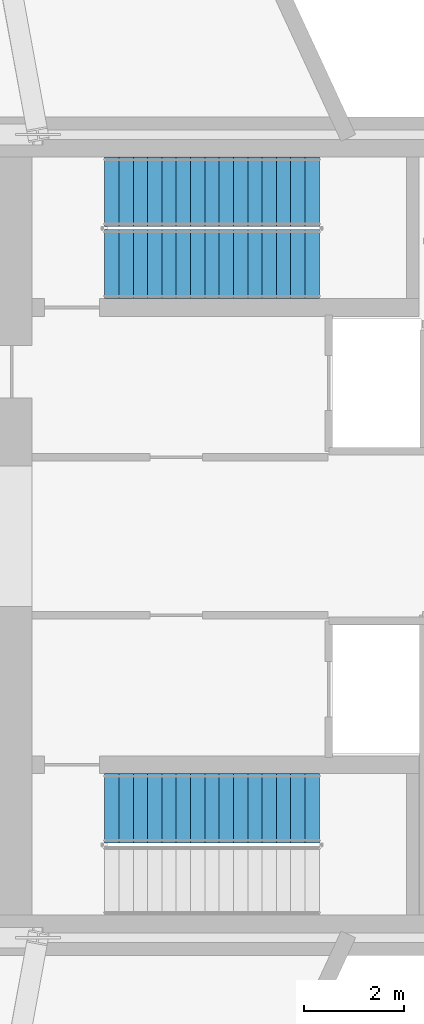
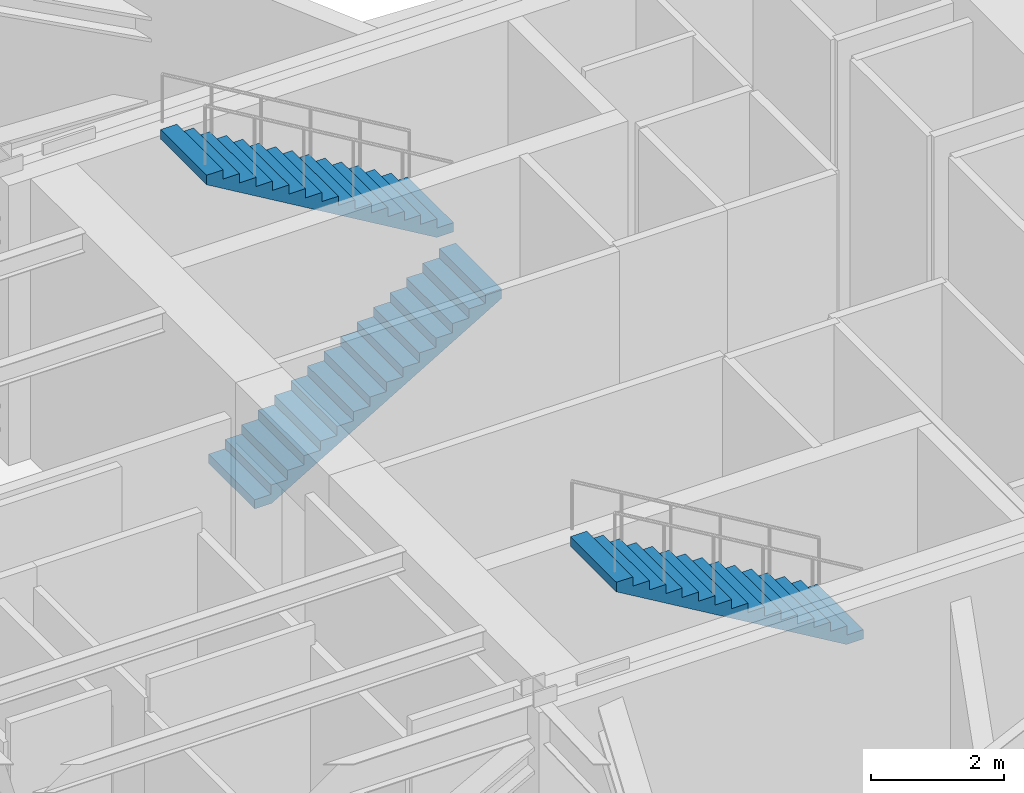
# One storey, part 5 of 6: 3 stair flights, 2 elements without a shape of their own.
"""IFC4 building model written with IfcOpenShell, lengths in metres."""

from ifc_helpers import new_model, si_unit, direction, frame, origin, place, context, subcontext, project, spatial, polyline, outline, extrude, material, type_object, element, aggregate, save


model = new_model("IFC4")

# Units and contexts
model_context = context("Model", 3, precision=1e-05, world=origin(), true_north=direction((0.0, 1.0)))
body_context = subcontext(model_context, "Body", "Model", "MODEL_VIEW")
ifc_project = project(units=[si_unit("LENGTHUNIT", "METRE"), si_unit("AREAUNIT", "SQUARE_METRE"), si_unit("VOLUMEUNIT", "CUBIC_METRE"), si_unit("PLANEANGLEUNIT", "RADIAN"), si_unit("MASSUNIT", "GRAM", prefix="KILO")], contexts=[model_context])

# Site, building, storey
site_placement = place(None, origin())
site = spatial("IfcSite", under=ifc_project, at=site_placement, CompositionType="ELEMENT")
building_placement = place(site_placement, origin())
building = spatial("IfcBuilding", under=site, at=building_placement, Name="Veymaron Broadcast Tower", CompositionType="ELEMENT")
storey_placement = place(building_placement, frame((0.0, 0.0, 106.64990234375)))
storey = spatial("IfcBuildingStorey", under=building, at=storey_placement, Name="L24", CompositionType="ELEMENT", Elevation=106.64990234375)

# Stair, stair flights
ifc_material_1 = material(Name="Concrete C50/60", Category="concrete")
stair_type_1 = type_object("IfcStairType", Name="STAIR-CORE-1", PredefinedType="HALF_TURN_STAIR", material=ifc_material_1)
stair_1_placement = place(storey_placement, origin())
stair_1 = element("IfcStair", 1, at=stair_1_placement, inside=storey, type_object=stair_type_1, Name="L24 North protected dog-leg exit stair ST1", PredefinedType="HALF_TURN_STAIR")
ifc_material_2 = material(Name="Precast concrete C50/60", Category="concrete")
stair_flight_type = type_object("IfcStairFlightType", Name="FLT-CORE-RC", PredefinedType="STRAIGHT", material=ifc_material_2)
stair_flight_1_placement = place(storey_placement, frame((41.429931640625, 29.419921875, 0.0), z_axis=(0.0, 0.0, 1.0), x_axis=(1.0, 0.0, 0.0)))
stair_flight_1 = element("IfcStairFlight", 2, at=stair_flight_1_placement, type_object=stair_flight_type, Name="ST1 flight 1", NumberOfRisers=16, NumberOfTreads=15, PredefinedType="STRAIGHT", RiserHeight=0.16875, TreadLength=0.285, context=body_context, shape_type="SweptSolid", body=[
    extrude(outline(polyline([(0.0, 0.0), (0.0, 0.168701171875), (0.284912109375, 0.168701171875), (0.284912109375, 0.33740234375), (0.570068359375, 0.33740234375), (0.570068359375, 0.50634765625), (0.85498046875, 0.50634765625), (0.85498046875, 0.675048828125), (1.139892578125, 0.675048828125), (1.139892578125, 0.84375), (1.425048828125, 0.84375), (1.425048828125, 1.012451171875), (1.7099609375, 1.012451171875), (1.7099609375, 1.18115234375), (1.9951171875, 1.18115234375), (1.9951171875, 1.35009765625), (2.280029296875, 1.35009765625), (2.280029296875, 1.518798828125), (2.56494140625, 1.518798828125), (2.56494140625, 1.6875), (2.85009765625, 1.6875), (2.85009765625, 1.856201171875), (3.135009765625, 1.856201171875), (3.135009765625, 2.02490234375), (3.419921875, 2.02490234375), (3.419921875, 2.19384765625), (3.705078125, 2.19384765625), (3.705078125, 2.362548828125), (3.989990234375, 2.362548828125), (3.989990234375, 2.53125), (4.27490234375, 2.53125), (4.27490234375, 2.699951171875), (4.27490234375, 2.35693359375), (0.294189453125, 0.0), (0.0, 0.0)])), frame((0.0, 0.68994140625, 0.0), z_axis=(0.0, -1.0, 0.0), x_axis=(1.0, 0.0, 0.0)), (0.0, 0.0, 1.0), 1.3798828125),
])
stair_flight_2_placement = place(storey_placement, frame((45.705078125, 30.860107421875, 2.7001953125), z_axis=(0.0, 0.0, 1.0), x_axis=(-1.0, 0.0, 0.0)))
stair_flight_2 = element("IfcStairFlight", 3, at=stair_flight_2_placement, type_object=stair_flight_type, Name="ST1 flight 2", NumberOfRisers=16, NumberOfTreads=15, PredefinedType="STRAIGHT", RiserHeight=0.16875, TreadLength=0.285, context=body_context, shape_type="SweptSolid", body=[
    extrude(outline(polyline([(0.0, 0.0), (0.0, 0.168701171875), (0.284912109375, 0.168701171875), (0.284912109375, 0.33740234375), (0.570068359375, 0.33740234375), (0.570068359375, 0.50634765625), (0.85498046875, 0.50634765625), (0.85498046875, 0.675048828125), (1.139892578125, 0.675048828125), (1.139892578125, 0.84375), (1.425048828125, 0.84375), (1.425048828125, 1.012451171875), (1.7099609375, 1.012451171875), (1.7099609375, 1.18115234375), (1.9951171875, 1.18115234375), (1.9951171875, 1.35009765625), (2.280029296875, 1.35009765625), (2.280029296875, 1.518798828125), (2.56494140625, 1.518798828125), (2.56494140625, 1.6875), (2.85009765625, 1.6875), (2.85009765625, 1.856201171875), (3.135009765625, 1.856201171875), (3.135009765625, 2.02490234375), (3.419921875, 2.02490234375), (3.419921875, 2.19384765625), (3.705078125, 2.19384765625), (3.705078125, 2.362548828125), (3.989990234375, 2.362548828125), (3.989990234375, 2.53125), (4.27490234375, 2.53125), (4.27490234375, 2.699951171875), (4.27490234375, 2.35693359375), (0.294189453125, 0.0), (0.0, 0.0)])), frame((0.0, 0.68994140625, 0.0), z_axis=(0.0, -1.0, 0.0), x_axis=(1.0, 0.0, 0.0)), (0.0, 0.0, 1.0), 1.3798828125),
])
aggregate(stair_1, [stair_flight_1, stair_flight_2])

# Stair, stair flight
stair_type_2 = type_object("IfcStairType", Name="STAIR-CORE-2", PredefinedType="HALF_TURN_STAIR", material=ifc_material_1)
stair_2_placement = place(storey_placement, origin())
stair_2 = element("IfcStair", 4, at=stair_2_placement, inside=storey, type_object=stair_type_2, Name="L24 South protected dog-leg exit stair ST2", PredefinedType="HALF_TURN_STAIR")
stair_flight_3_placement = place(storey_placement, frame((45.705078125, 18.580078125, 2.7001953125), z_axis=(0.0, 0.0, 1.0), x_axis=(-1.0, 0.0, 0.0)))
stair_flight_3 = element("IfcStairFlight", 5, at=stair_flight_3_placement, type_object=stair_flight_type, Name="ST2 flight 2", NumberOfRisers=16, NumberOfTreads=15, PredefinedType="STRAIGHT", RiserHeight=0.16875, TreadLength=0.285, context=body_context, shape_type="SweptSolid", body=[
    extrude(outline(polyline([(0.0, 0.0), (0.0, 0.168701171875), (0.284912109375, 0.168701171875), (0.284912109375, 0.33740234375), (0.570068359375, 0.33740234375), (0.570068359375, 0.50634765625), (0.85498046875, 0.50634765625), (0.85498046875, 0.675048828125), (1.139892578125, 0.675048828125), (1.139892578125, 0.84375), (1.425048828125, 0.84375), (1.425048828125, 1.012451171875), (1.7099609375, 1.012451171875), (1.7099609375, 1.18115234375), (1.9951171875, 1.18115234375), (1.9951171875, 1.35009765625), (2.280029296875, 1.35009765625), (2.280029296875, 1.518798828125), (2.56494140625, 1.518798828125), (2.56494140625, 1.6875), (2.85009765625, 1.6875), (2.85009765625, 1.856201171875), (3.135009765625, 1.856201171875), (3.135009765625, 2.02490234375), (3.419921875, 2.02490234375), (3.419921875, 2.19384765625), (3.705078125, 2.19384765625), (3.705078125, 2.362548828125), (3.989990234375, 2.362548828125), (3.989990234375, 2.53125), (4.27490234375, 2.53125), (4.27490234375, 2.699951171875), (4.27490234375, 2.35693359375), (0.294189453125, 0.0), (0.0, 0.0)])), frame((0.0, 0.68994140625, 0.0), z_axis=(0.0, -1.0, 0.0), x_axis=(1.0, 0.0, 0.0)), (0.0, 0.0, 1.0), 1.3798828125),
])
aggregate(stair_2, [stair_flight_3])

save(model, "model.ifc")
